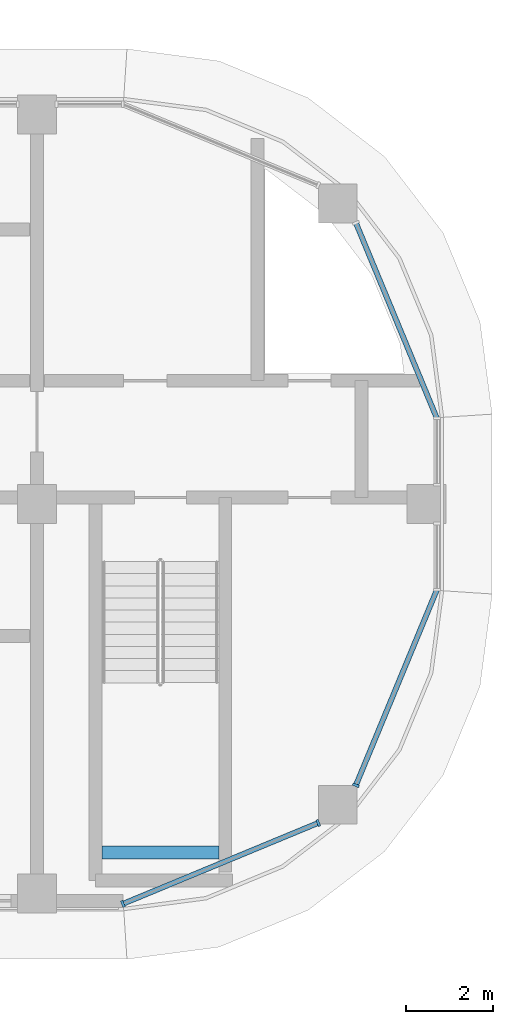
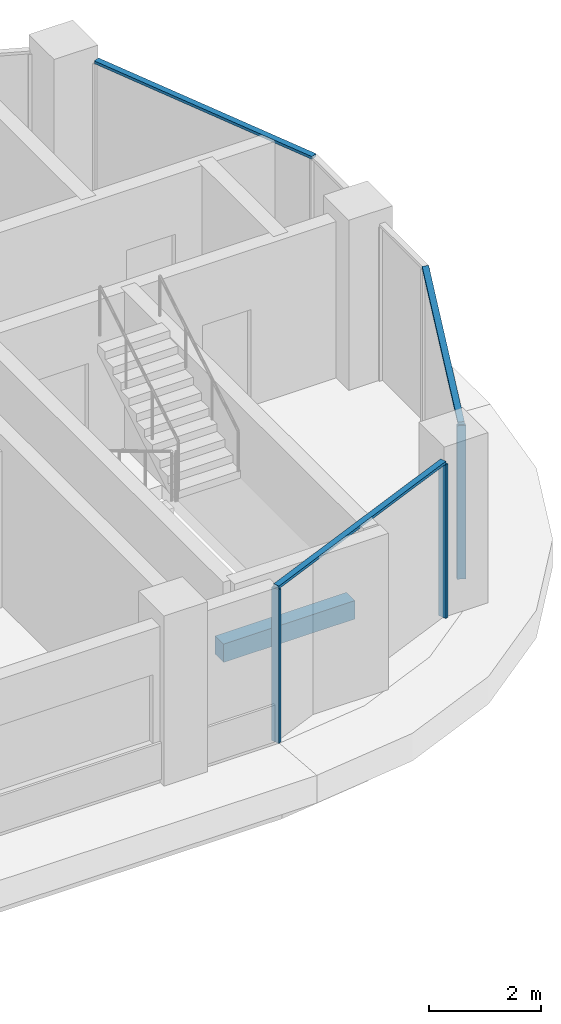
# One storey, part 3 of 20: 6 members, 1 beam, 3 elements without a shape of their own.
"""IFC4 building model written with IfcOpenShell, lengths in metres."""

from ifc_helpers import new_model, si_unit, direction, frame, origin, origin_2d, place, context, subcontext, project, spatial, rectangle, extrude, material, material_profile, profile_set, type_object, element, aggregate, save


model = new_model("IFC4")

# Units and contexts
model_context = context("Model", 3, precision=1e-05, world=origin(), true_north=direction((0.0, 1.0)))
body_context = subcontext(model_context, "Body", "Model", "MODEL_VIEW")
ifc_project = project(units=[si_unit("LENGTHUNIT", "METRE"), si_unit("AREAUNIT", "SQUARE_METRE"), si_unit("VOLUMEUNIT", "CUBIC_METRE"), si_unit("PLANEANGLEUNIT", "RADIAN"), si_unit("MASSUNIT", "GRAM", prefix="KILO")], contexts=[model_context])

# Site, building, storey
site_placement = place(None, origin())
site = spatial("IfcSite", under=ifc_project, at=site_placement, CompositionType="ELEMENT")
building_placement = place(site_placement, origin())
building = spatial("IfcBuilding", under=site, at=building_placement, Name="Ogive Portal Towers", CompositionType="ELEMENT")
storey_placement = place(building_placement, frame((0.0, 0.0, 214.300048828125)))
storey = spatial("IfcBuildingStorey", under=building, at=storey_placement, Name="L53", CompositionType="ELEMENT", Elevation=214.300048828125)

# Beam
ifc_material_1 = material(Name="Concrete C40/50", Category="concrete")
ifc_material_profile_1 = material_profile(ifc_material_1, rectangle(XDim=0.300048828125, YDim=0.39990234375, at=origin_2d()), Name="RC 300x400")
ifc_profile_set_1 = profile_set([ifc_material_profile_1], Name="Concrete C40/50")
beam_type = type_object("IfcBeamType", Name="BEAM RC 300x400", PredefinedType="BEAM", material=ifc_profile_set_1)
beam_placement = place(storey_placement, frame((87.0, 22.449951171875, 1.449951171875), z_axis=(1.0, 0.0, 0.0), x_axis=(0.0, 1.0, 0.0)))
element("IfcBeam", 1, at=beam_placement, inside=storey, type_object=beam_type, Name="Landing beam L53", PredefinedType="BEAM", context=body_context, shape_type="SweptSolid", body=[
    extrude(rectangle(XDim=0.300048828125, YDim=0.39990234375, at=origin_2d()), origin(), (0.0, 0.0, 1.0), 2.699951171875),
])

# Curtain wall, members
ifc_material_2 = material(Name="Glass, clear low-iron insulated glazing", Category="glass")
curtain_wall_type = type_object("IfcCurtainWallType", Name="CW FRONT RIBBON 4500", PredefinedType="NOTDEFINED", material=ifc_material_2)
curtain_wall_1_placement = place(storey_placement, origin())
curtain_wall_1 = element("IfcCurtainWall", 2, at=curtain_wall_1_placement, inside=storey, type_object=curtain_wall_type, Name="A:L53:f21:cwa~0", PredefinedType="NOTDEFINED")
ifc_material_3 = material(Name="Aluminium 6063 anodised", Category="aluminium")
ifc_material_profile_2 = material_profile(ifc_material_3, rectangle(XDim=0.159912109375, YDim=0.06005859375, at=origin_2d()), Name="AL 60x160")
ifc_profile_set_2 = profile_set([ifc_material_profile_2], Name="Aluminium 6063 anodised")
member_type_1 = type_object("IfcMemberType", Name="CW MULLION 60x160", PredefinedType="MULLION", material=ifc_profile_set_2)
member_1_placement = place(storey_placement, frame((87.484130859375, 21.260009765625, 0.0), z_axis=(0.0, 0.0, 1.0), x_axis=(-0.382683432365, 0.923879532511, 0.0)))
member_1 = element("IfcMember", 3, at=member_1_placement, type_object=member_type_1, Name="mullion", PredefinedType="MULLION", context=body_context, shape_type="SweptSolid", body=[
    extrude(rectangle(XDim=0.159912109375, YDim=0.06005859375, at=origin_2d()), origin(), (0.0, 0.0, 1.0), 3.33984375),
])
member_2_placement = place(storey_placement, frame((92.0, 23.130615234375, 0.0), z_axis=(0.0, 0.0, 1.0), x_axis=(-0.382683432365, 0.923879532511, 0.0)))
member_2 = element("IfcMember", 4, at=member_2_placement, type_object=member_type_1, Name="mullion", PredefinedType="MULLION", context=body_context, shape_type="SweptSolid", body=[
    extrude(rectangle(XDim=0.159912109375, YDim=0.06005859375, at=origin_2d()), origin(), (0.0, 0.0, 1.0), 3.33984375),
])

# Curtain wall, member
curtain_wall_2_placement = place(storey_placement, origin())
curtain_wall_2 = element("IfcCurtainWall", 5, at=curtain_wall_2_placement, inside=storey, type_object=curtain_wall_type, Name="A:L53:f21:cwa~1", PredefinedType="NOTDEFINED")
member_3_placement = place(storey_placement, frame((92.869384765625, 24.0, 0.0), z_axis=(0.0, 0.0, 1.0), x_axis=(-0.923879532511, 0.382683432365, 0.0)))
member_3 = element("IfcMember", 6, at=member_3_placement, type_object=member_type_1, Name="mullion", PredefinedType="MULLION", context=body_context, shape_type="SweptSolid", body=[
    extrude(rectangle(XDim=0.159912109375, YDim=0.06005859375, at=origin_2d()), origin(), (0.0, 0.0, 1.0), 3.33984375),
])

# Member
ifc_material_profile_3 = material_profile(ifc_material_3, rectangle(XDim=0.1201171875, YDim=0.06005859375, at=origin_2d()), Name="AL 120x60")
ifc_profile_set_3 = profile_set([ifc_material_profile_3], Name="Aluminium 6063 anodised")
member_type_2 = type_object("IfcMemberType", Name="CW TRANSOM 60x120", PredefinedType="USERDEFINED", material=ifc_profile_set_3)
member_4_placement = place(storey_placement, frame((87.484130859375, 21.260009765625, 3.369873046875), z_axis=(0.923874380641, 0.382695869842, 0.0), x_axis=(-0.382695869842, 0.923874380641, 0.0)))
member_4 = element("IfcMember", 7, at=member_4_placement, type_object=member_type_2, Name="transom", ObjectType="TRANSOM", PredefinedType="USERDEFINED", context=body_context, shape_type="SweptSolid", body=[
    extrude(rectangle(XDim=0.1201171875, YDim=0.06005859375, at=origin_2d()), origin(), (0.0, 0.0, 1.0), 4.887939453125),
])

aggregate(curtain_wall_1, [member_4, member_1, member_2])

member_5_placement = place(storey_placement, frame((92.869384765625, 24.0, 3.369873046875), z_axis=(0.382695869842, 0.923874380641, 0.0), x_axis=(-0.923874380641, 0.382695869842, 0.0)))
member_5 = element("IfcMember", 8, at=member_5_placement, type_object=member_type_2, Name="transom", ObjectType="TRANSOM", PredefinedType="USERDEFINED", context=body_context, shape_type="SweptSolid", body=[
    extrude(rectangle(XDim=0.1201171875, YDim=0.06005859375, at=origin_2d()), origin(), (0.0, 0.0, 1.0), 4.887939453125),
])

aggregate(curtain_wall_2, [member_5, member_3])

# Curtain wall, member
curtain_wall_3_placement = place(storey_placement, origin())
curtain_wall_3 = element("IfcCurtainWall", 9, at=curtain_wall_3_placement, inside=storey, type_object=curtain_wall_type, Name="A:L53:f24:cwa~0", PredefinedType="NOTDEFINED")
member_6_placement = place(storey_placement, frame((94.739990234375, 32.484130859375, 3.369873046875), z_axis=(-0.382695869842, 0.923874380641, 0.0), x_axis=(-0.923874380641, -0.382695869842, 0.0)))
member_6 = element("IfcMember", 10, at=member_6_placement, type_object=member_type_2, Name="transom", ObjectType="TRANSOM", PredefinedType="USERDEFINED", context=body_context, shape_type="SweptSolid", body=[
    extrude(rectangle(XDim=0.1201171875, YDim=0.06005859375, at=origin_2d()), origin(), (0.0, 0.0, 1.0), 4.887939453125),
])
aggregate(curtain_wall_3, [member_6])

save(model, "model.ifc")
